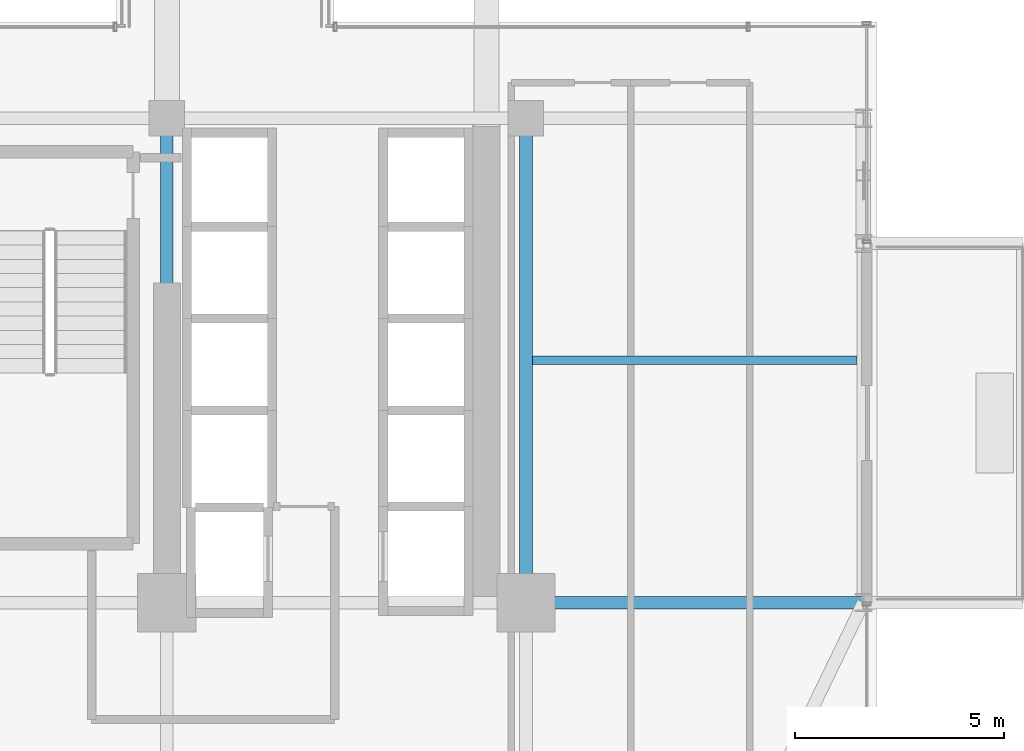
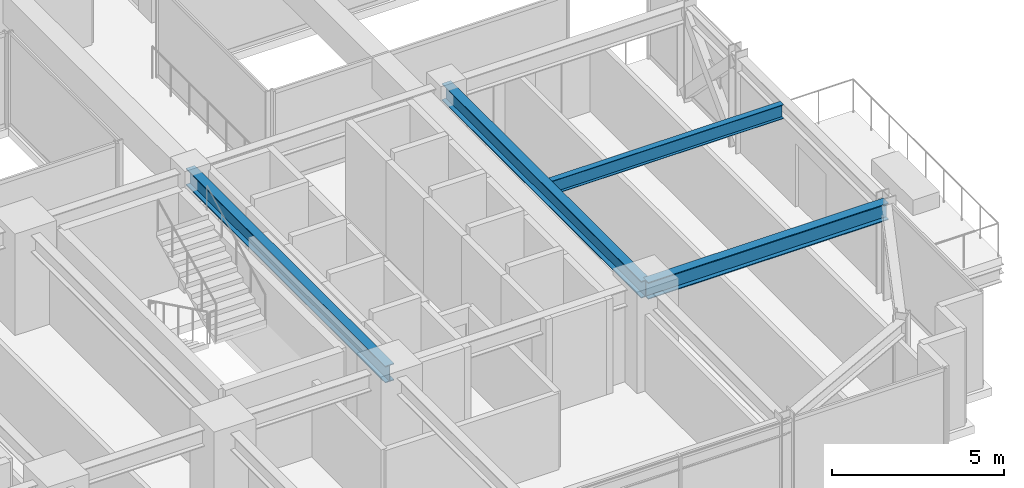
# One storey, part 16 of 41: 4 beams.
"""IFC4 building model written with IfcOpenShell, lengths in metres."""

from ifc_helpers import new_model, si_unit, direction, frame, origin, origin_2d, place, context, subcontext, project, spatial, i_section, extrude, source, transform, mapped, material, material_profile, profile_set, type_object, element, save


model = new_model("IFC4")

# Units and contexts
model_context = context("Model", 3, precision=1e-05, world=origin(), true_north=direction((0.0, 1.0)))
body_context = subcontext(model_context, "Body", "Model", "MODEL_VIEW")
ifc_project = project(units=[si_unit("LENGTHUNIT", "METRE"), si_unit("AREAUNIT", "SQUARE_METRE"), si_unit("VOLUMEUNIT", "CUBIC_METRE"), si_unit("PLANEANGLEUNIT", "RADIAN"), si_unit("MASSUNIT", "GRAM", prefix="KILO")], contexts=[model_context])

# Site, building, storey
site_placement = place(None, origin())
site = spatial("IfcSite", under=ifc_project, at=site_placement, CompositionType="ELEMENT")
building_placement = place(site_placement, origin())
building = spatial("IfcBuilding", under=site, at=building_placement, Name="Nahalor Promenade Grand Hotel", CompositionType="ELEMENT")
storey_placement = place(building_placement, frame((0.0, 0.0, 54.300048828125)))
storey = spatial("IfcBuildingStorey", under=building, at=storey_placement, Name="L12", CompositionType="ELEMENT", Elevation=54.300048828125)

# Beams
ifc_material = material(Name="Steel S355JR", Category="steel")
ifc_material_profile_1 = material_profile(ifc_material, i_section(OverallWidth=0.3, OverallDepth=0.6, WebThickness=0.0155, FlangeThickness=0.03, at=origin_2d()), Name="HEB 600")
ifc_profile_set_1 = profile_set([ifc_material_profile_1], Name="Steel S355JR")
beam_type_1 = type_object("IfcBeamType", Name="Beam-Girder-HEB600", PredefinedType="BEAM", material=ifc_profile_set_1)
shared_shape_1 = source(origin(), body_context, "Body", "SweptSolid", [
    extrude(i_section(OverallWidth=0.3, OverallDepth=0.6, WebThickness=0.0155, FlangeThickness=0.03, at=origin_2d()), origin(), (0.0, 0.0, 1.0), 11.60009765625),
])
for number, where, z_axis, x_axis, name in (
    (1, (8.39990234375, -17.0, 3.070068359375), (0.0, 1.0, 0.0), (-1.0, 0.0, 0.0), "BM-L12-GY-4-1"),
    (2, (17.0, -17.0, 3.070068359375), (0.0, 1.0, 0.0), (-1.0, 0.0, 0.0), "BM-L12-GY-5-1"),
):
    element("IfcBeam", number, at=place(storey_placement, frame(where, z_axis=z_axis, x_axis=x_axis)), inside=storey, type_object=beam_type_1, Name=name, PredefinedType="BEAM", context=body_context, shape_type="MappedRepresentation", body=[
        mapped(shared_shape_1, transform((0.0, 0.0, 0.0), scale=1.0)),
    ])
shared_shape_2 = source(origin(), body_context, "Body", "SweptSolid", [
    extrude(i_section(OverallWidth=0.3, OverallDepth=0.6, WebThickness=0.0155, FlangeThickness=0.03, at=origin_2d()), origin(), (0.0, 0.0, 1.0), 8.080078125),
])
beam_1_placement = place(storey_placement, frame((17.0, -17.0, 3.070068359375), z_axis=(1.0, 0.0, 0.0), x_axis=(0.0, 1.0, 0.0)))
element("IfcBeam", 3, at=beam_1_placement, inside=storey, type_object=beam_type_1, Name="BM-L12-GX-0-6", PredefinedType="BEAM", context=body_context, shape_type="MappedRepresentation", body=[
    mapped(shared_shape_2, transform((0.0, 0.0, 0.0), scale=1.0)),
])
ifc_material_profile_2 = material_profile(ifc_material, i_section(OverallWidth=0.2, OverallDepth=0.5, WebThickness=0.0102, FlangeThickness=0.016, at=origin_2d()), Name="IPE 500")
ifc_profile_set_2 = profile_set([ifc_material_profile_2], Name="Steel S355JR")
beam_type_2 = type_object("IfcBeamType", Name="Beam-Joist-IPE500", PredefinedType="JOIST", material=ifc_profile_set_2)
shared_shape_3 = source(origin(), body_context, "Body", "SweptSolid", [
    extrude(i_section(OverallWidth=0.2, OverallDepth=0.5, WebThickness=0.0102, FlangeThickness=0.016, at=origin_2d()), origin(), (0.0, 0.0, 1.0), 7.780029296875),
])
beam_2_placement = place(storey_placement, frame((17.14990234375, -11.199951171875, 3.119873046875), z_axis=(1.0, 0.0, 0.0), x_axis=(0.0, 1.0, 0.0)))
element("IfcBeam", 4, at=beam_2_placement, inside=storey, type_object=beam_type_2, Name="BM-L12-JSE-0-2", PredefinedType="JOIST", context=body_context, shape_type="MappedRepresentation", body=[
    mapped(shared_shape_3, transform((0.0, 0.0, 0.0), scale=1.0)),
])

save(model, "model.ifc")
